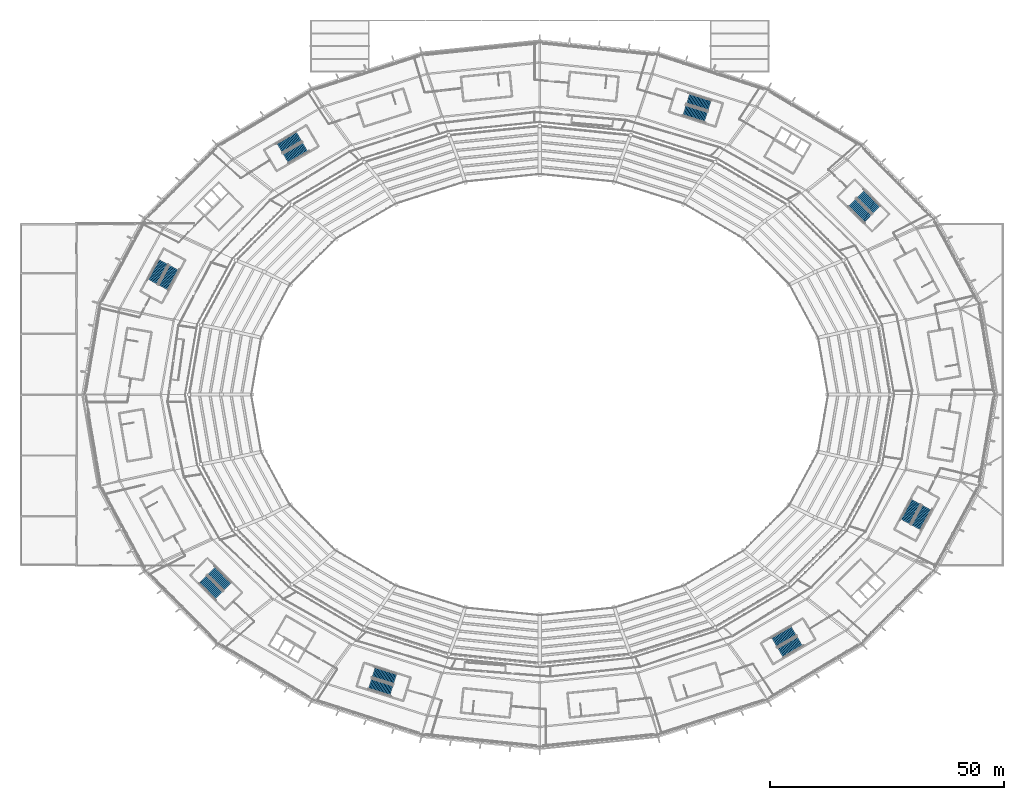
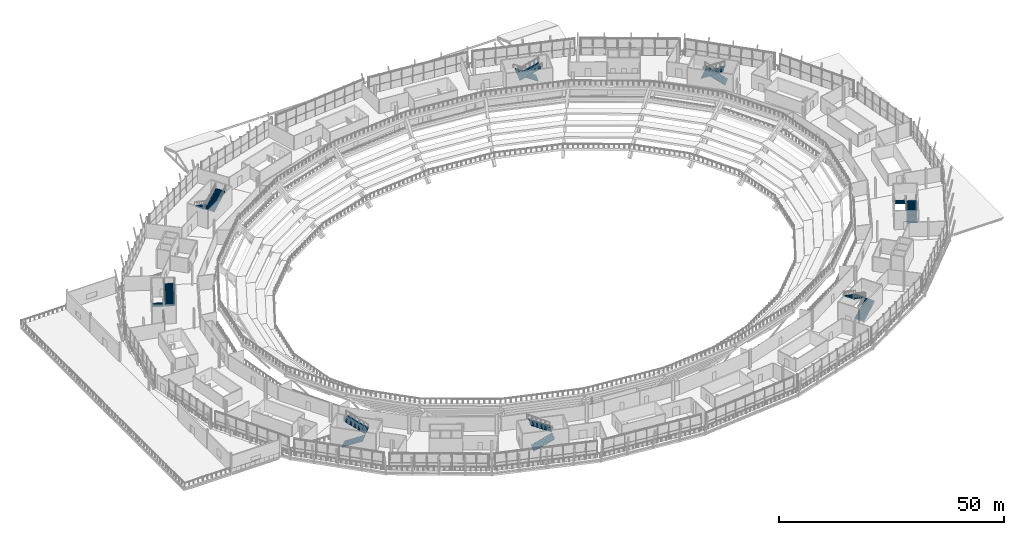
# One storey, part 105 of 126: 16 stair flights, 8 elements without a shape of their own.
"""IFC4 building model written with IfcOpenShell, lengths in metres."""

from ifc_helpers import new_model, si_unit, direction, frame, origin, place, context, subcontext, project, spatial, polyline, outline, extrude, material, type_object, element, aggregate, save


model = new_model("IFC4")

# Units and contexts
model_context = context("Model", 3, precision=1e-05, world=origin(), true_north=direction((0.0, 1.0)))
body_context = subcontext(model_context, "Body", "Model", "MODEL_VIEW")
ifc_project = project(units=[si_unit("LENGTHUNIT", "METRE"), si_unit("AREAUNIT", "SQUARE_METRE"), si_unit("VOLUMEUNIT", "CUBIC_METRE"), si_unit("PLANEANGLEUNIT", "RADIAN"), si_unit("MASSUNIT", "GRAM", prefix="KILO")], contexts=[model_context])

# Site, building, storey
site_placement = place(None, origin())
site = spatial("IfcSite", under=ifc_project, at=site_placement, CompositionType="ELEMENT")
building_placement = place(site_placement, origin())
building = spatial("IfcBuilding", under=site, at=building_placement, Name="Zlatoyarsky Gate Stadium", CompositionType="ELEMENT")
storey_placement = place(building_placement, frame((0.0, 0.0, 20.800048828125)))
storey = spatial("IfcBuildingStorey", under=building, at=storey_placement, Name="L04", CompositionType="ELEMENT", Elevation=20.800048828125)

# Stair, stair flights
ifc_material = material(Name="Concrete C40/50", Category="concrete")
stair_type = type_object("IfcStairType", Name="CONCRETE DOGLEG EXIT STAIR H5400", PredefinedType="TWO_STRAIGHT_RUN_STAIR", material=ifc_material)
stair_1_placement = place(storey_placement, origin())
stair_1 = element("IfcStair", 1, at=stair_1_placement, inside=storey, type_object=stair_type, Name="L04 Exit Stair ST-02", PredefinedType="TWO_STRAIGHT_RUN_STAIR")
stair_flight_type = type_object("IfcStairFlightType", Name="CONCRETE STAIR FLIGHT 2400 H5400", PredefinedType="STRAIGHT", material=ifc_material)
stair_flight_1_placement = place(storey_placement, frame((182.98193359375, 119.49658203125, 0.0), z_axis=(0.0, 0.0, 1.0), x_axis=(-0.708901395436, 0.70530760066, 0.0)))
stair_flight_1 = element("IfcStairFlight", 2, at=stair_flight_1_placement, type_object=stair_flight_type, Name="ST-DG54 flight 1", NumberOfRisers=17, NumberOfTreads=16, PredefinedType="STRAIGHT", RiserHeight=0.158823529, TreadLength=0.3, context=body_context, shape_type="SweptSolid", body=[
    extrude(outline(polyline([(-0.006103515625, -0.180908203125), (-0.006103515625, 0.0), (0.0, 0.0), (0.0, 0.158935546875), (0.300048828125, 0.158935546875), (0.300048828125, 0.317626953125), (0.60009765625, 0.317626953125), (0.60009765625, 0.4765625), (0.89990234375, 0.4765625), (0.89990234375, 0.63525390625), (1.199951171875, 0.63525390625), (1.199951171875, 0.794189453125), (1.5, 0.794189453125), (1.5, 0.952880859375), (1.800048828125, 0.952880859375), (1.800048828125, 1.11181640625), (2.10009765625, 1.11181640625), (2.10009765625, 1.2705078125), (2.39990234375, 1.2705078125), (2.39990234375, 1.429443359375), (2.699951171875, 1.429443359375), (2.699951171875, 1.588134765625), (3.0, 1.588134765625), (3.0, 1.7470703125), (3.300048828125, 1.7470703125), (3.300048828125, 1.90576171875), (3.60009765625, 1.90576171875), (3.60009765625, 2.064697265625), (3.89990234375, 2.064697265625), (3.89990234375, 2.2236328125), (4.199951171875, 2.2236328125), (4.199951171875, 2.38232421875), (4.5, 2.38232421875), (4.5, 2.541259765625), (4.800048828125, 2.541259765625), (4.800048828125, 2.699951171875), (4.805908203125, 2.699951171875), (4.805908203125, 2.3603515625), (4.800048828125, 2.3603515625), (-0.006103515625, -0.180908203125)])), frame((0.0, 1.199951171875, 0.0), z_axis=(0.0, -1.0, 0.0), x_axis=(1.0, 0.0, 0.0)), (0.0, 0.0, 1.0), 2.39990234375),
])
stair_flight_2_placement = place(storey_placement, frame((177.745361328125, 121.0390625, 2.699951171875), z_axis=(0.0, 0.0, 1.0), x_axis=(0.708901395436, -0.70530760066, 0.0)))
stair_flight_2 = element("IfcStairFlight", 3, at=stair_flight_2_placement, type_object=stair_flight_type, Name="ST-DG54 flight 2", NumberOfRisers=17, NumberOfTreads=16, PredefinedType="STRAIGHT", RiserHeight=0.158823529, TreadLength=0.3, context=body_context, shape_type="SweptSolid", body=[
    extrude(outline(polyline([(-0.006103515625, -0.180908203125), (-0.006103515625, 0.0), (0.0, 0.0), (0.0, 0.158935546875), (0.300048828125, 0.158935546875), (0.300048828125, 0.317626953125), (0.60009765625, 0.317626953125), (0.60009765625, 0.4765625), (0.89990234375, 0.4765625), (0.89990234375, 0.63525390625), (1.199951171875, 0.63525390625), (1.199951171875, 0.794189453125), (1.5, 0.794189453125), (1.5, 0.952880859375), (1.800048828125, 0.952880859375), (1.800048828125, 1.11181640625), (2.10009765625, 1.11181640625), (2.10009765625, 1.2705078125), (2.39990234375, 1.2705078125), (2.39990234375, 1.429443359375), (2.699951171875, 1.429443359375), (2.699951171875, 1.588134765625), (3.0, 1.588134765625), (3.0, 1.7470703125), (3.300048828125, 1.7470703125), (3.300048828125, 1.90576171875), (3.60009765625, 1.90576171875), (3.60009765625, 2.064697265625), (3.89990234375, 2.064697265625), (3.89990234375, 2.2236328125), (4.199951171875, 2.2236328125), (4.199951171875, 2.38232421875), (4.5, 2.38232421875), (4.5, 2.541259765625), (4.800048828125, 2.541259765625), (4.800048828125, 2.699951171875), (4.805908203125, 2.699951171875), (4.805908203125, 2.3603515625), (4.800048828125, 2.3603515625), (-0.006103515625, -0.180908203125)])), frame((0.0, 1.199951171875, 0.0), z_axis=(0.0, -1.0, 0.0), x_axis=(1.0, 0.0, 0.0)), (0.0, 0.0, 1.0), 2.39990234375),
])
aggregate(stair_1, [stair_flight_1, stair_flight_2])

stair_2_placement = place(storey_placement, origin())
stair_2 = element("IfcStair", 4, at=stair_2_placement, inside=storey, type_object=stair_type, Name="L04 Exit Stair ST-03", PredefinedType="TWO_STRAIGHT_RUN_STAIR")
stair_flight_3_placement = place(storey_placement, frame((147.29150390625, 141.820068359375, 0.0), z_axis=(0.0, 0.0, 1.0), x_axis=(-0.953463118711, 0.301509670257, 0.0)))
stair_flight_3 = element("IfcStairFlight", 5, at=stair_flight_3_placement, type_object=stair_flight_type, Name="ST-DG54 flight 1", NumberOfRisers=17, NumberOfTreads=16, PredefinedType="STRAIGHT", RiserHeight=0.158823529, TreadLength=0.3, context=body_context, shape_type="SweptSolid", body=[
    extrude(outline(polyline([(-0.006103515625, -0.180908203125), (-0.006103515625, 0.0), (0.0, 0.0), (0.0, 0.158935546875), (0.300048828125, 0.158935546875), (0.300048828125, 0.317626953125), (0.60009765625, 0.317626953125), (0.60009765625, 0.4765625), (0.89990234375, 0.4765625), (0.89990234375, 0.63525390625), (1.199951171875, 0.63525390625), (1.199951171875, 0.794189453125), (1.5, 0.794189453125), (1.5, 0.952880859375), (1.800048828125, 0.952880859375), (1.800048828125, 1.11181640625), (2.10009765625, 1.11181640625), (2.10009765625, 1.2705078125), (2.39990234375, 1.2705078125), (2.39990234375, 1.429443359375), (2.699951171875, 1.429443359375), (2.699951171875, 1.588134765625), (3.0, 1.588134765625), (3.0, 1.7470703125), (3.300048828125, 1.7470703125), (3.300048828125, 1.90576171875), (3.60009765625, 1.90576171875), (3.60009765625, 2.064697265625), (3.89990234375, 2.064697265625), (3.89990234375, 2.2236328125), (4.199951171875, 2.2236328125), (4.199951171875, 2.38232421875), (4.5, 2.38232421875), (4.5, 2.541259765625), (4.800048828125, 2.541259765625), (4.800048828125, 2.699951171875), (4.805908203125, 2.699951171875), (4.805908203125, 2.3603515625), (4.800048828125, 2.3603515625), (-0.006103515625, -0.180908203125)])), frame((0.0, 1.199951171875, 0.0), z_axis=(0.0, -1.0, 0.0), x_axis=(1.0, 0.0, 0.0)), (0.0, 0.0, 1.0), 2.39990234375),
])
stair_flight_4_placement = place(storey_placement, frame((141.930908203125, 140.788330078125, 2.699951171875), z_axis=(0.0, 0.0, 1.0), x_axis=(0.953463118711, -0.301509670257, 0.0)))
stair_flight_4 = element("IfcStairFlight", 6, at=stair_flight_4_placement, type_object=stair_flight_type, Name="ST-DG54 flight 2", NumberOfRisers=17, NumberOfTreads=16, PredefinedType="STRAIGHT", RiserHeight=0.158823529, TreadLength=0.3, context=body_context, shape_type="SweptSolid", body=[
    extrude(outline(polyline([(-0.006103515625, -0.180908203125), (-0.006103515625, 0.0), (0.0, 0.0), (0.0, 0.158935546875), (0.300048828125, 0.158935546875), (0.300048828125, 0.317626953125), (0.60009765625, 0.317626953125), (0.60009765625, 0.4765625), (0.89990234375, 0.4765625), (0.89990234375, 0.63525390625), (1.199951171875, 0.63525390625), (1.199951171875, 0.794189453125), (1.5, 0.794189453125), (1.5, 0.952880859375), (1.800048828125, 0.952880859375), (1.800048828125, 1.11181640625), (2.10009765625, 1.11181640625), (2.10009765625, 1.2705078125), (2.39990234375, 1.2705078125), (2.39990234375, 1.429443359375), (2.699951171875, 1.429443359375), (2.699951171875, 1.588134765625), (3.0, 1.588134765625), (3.0, 1.7470703125), (3.300048828125, 1.7470703125), (3.300048828125, 1.90576171875), (3.60009765625, 1.90576171875), (3.60009765625, 2.064697265625), (3.89990234375, 2.064697265625), (3.89990234375, 2.2236328125), (4.199951171875, 2.2236328125), (4.199951171875, 2.38232421875), (4.5, 2.38232421875), (4.5, 2.541259765625), (4.800048828125, 2.541259765625), (4.800048828125, 2.699951171875), (4.805908203125, 2.699951171875), (4.805908203125, 2.3603515625), (4.800048828125, 2.3603515625), (-0.006103515625, -0.180908203125)])), frame((0.0, 1.199951171875, 0.0), z_axis=(0.0, -1.0, 0.0), x_axis=(1.0, 0.0, 0.0)), (0.0, 0.0, 1.0), 2.39990234375),
])
aggregate(stair_2, [stair_flight_3, stair_flight_4])

stair_3_placement = place(storey_placement, origin())
stair_3 = element("IfcStair", 7, at=stair_3_placement, inside=storey, type_object=stair_type, Name="L04 Exit Stair ST-05", PredefinedType="TWO_STRAIGHT_RUN_STAIR")
stair_flight_5_placement = place(storey_placement, frame((59.540771484375, 135.1689453125, 0.0), z_axis=(0.0, 0.0, 1.0), x_axis=(-0.86284821159, -0.505463118096, 0.0)))
stair_flight_5 = element("IfcStairFlight", 8, at=stair_flight_5_placement, type_object=stair_flight_type, Name="ST-DG54 flight 1", NumberOfRisers=17, NumberOfTreads=16, PredefinedType="STRAIGHT", RiserHeight=0.158823529, TreadLength=0.3, context=body_context, shape_type="SweptSolid", body=[
    extrude(outline(polyline([(-0.006103515625, -0.180908203125), (-0.006103515625, 0.0), (0.0, 0.0), (0.0, 0.158935546875), (0.300048828125, 0.158935546875), (0.300048828125, 0.317626953125), (0.60009765625, 0.317626953125), (0.60009765625, 0.4765625), (0.89990234375, 0.4765625), (0.89990234375, 0.63525390625), (1.199951171875, 0.63525390625), (1.199951171875, 0.794189453125), (1.5, 0.794189453125), (1.5, 0.952880859375), (1.800048828125, 0.952880859375), (1.800048828125, 1.11181640625), (2.10009765625, 1.11181640625), (2.10009765625, 1.2705078125), (2.39990234375, 1.2705078125), (2.39990234375, 1.429443359375), (2.699951171875, 1.429443359375), (2.699951171875, 1.588134765625), (3.0, 1.588134765625), (3.0, 1.7470703125), (3.300048828125, 1.7470703125), (3.300048828125, 1.90576171875), (3.60009765625, 1.90576171875), (3.60009765625, 2.064697265625), (3.89990234375, 2.064697265625), (3.89990234375, 2.2236328125), (4.199951171875, 2.2236328125), (4.199951171875, 2.38232421875), (4.5, 2.38232421875), (4.5, 2.541259765625), (4.800048828125, 2.541259765625), (4.800048828125, 2.699951171875), (4.805908203125, 2.699951171875), (4.805908203125, 2.3603515625), (4.800048828125, 2.3603515625), (-0.006103515625, -0.180908203125)])), frame((0.0, 1.199951171875, 0.0), z_axis=(0.0, -1.0, 0.0), x_axis=(1.0, 0.0, 0.0)), (0.0, 0.0, 1.0), 2.39990234375),
])
stair_flight_6_placement = place(storey_placement, frame((56.71337890625, 130.499267578125, 2.699951171875), z_axis=(0.0, 0.0, 1.0), x_axis=(0.86284821159, 0.505463118096, 0.0)))
stair_flight_6 = element("IfcStairFlight", 9, at=stair_flight_6_placement, type_object=stair_flight_type, Name="ST-DG54 flight 2", NumberOfRisers=17, NumberOfTreads=16, PredefinedType="STRAIGHT", RiserHeight=0.158823529, TreadLength=0.3, context=body_context, shape_type="SweptSolid", body=[
    extrude(outline(polyline([(-0.006103515625, -0.180908203125), (-0.006103515625, 0.0), (0.0, 0.0), (0.0, 0.158935546875), (0.300048828125, 0.158935546875), (0.300048828125, 0.317626953125), (0.60009765625, 0.317626953125), (0.60009765625, 0.4765625), (0.89990234375, 0.4765625), (0.89990234375, 0.63525390625), (1.199951171875, 0.63525390625), (1.199951171875, 0.794189453125), (1.5, 0.794189453125), (1.5, 0.952880859375), (1.800048828125, 0.952880859375), (1.800048828125, 1.11181640625), (2.10009765625, 1.11181640625), (2.10009765625, 1.2705078125), (2.39990234375, 1.2705078125), (2.39990234375, 1.429443359375), (2.699951171875, 1.429443359375), (2.699951171875, 1.588134765625), (3.0, 1.588134765625), (3.0, 1.7470703125), (3.300048828125, 1.7470703125), (3.300048828125, 1.90576171875), (3.60009765625, 1.90576171875), (3.60009765625, 2.064697265625), (3.89990234375, 2.064697265625), (3.89990234375, 2.2236328125), (4.199951171875, 2.2236328125), (4.199951171875, 2.38232421875), (4.5, 2.38232421875), (4.5, 2.541259765625), (4.800048828125, 2.541259765625), (4.800048828125, 2.699951171875), (4.805908203125, 2.699951171875), (4.805908203125, 2.3603515625), (4.800048828125, 2.3603515625), (-0.006103515625, -0.180908203125)])), frame((0.0, 1.199951171875, 0.0), z_axis=(0.0, -1.0, 0.0), x_axis=(1.0, 0.0, 0.0)), (0.0, 0.0, 1.0), 2.39990234375),
])
aggregate(stair_3, [stair_flight_5, stair_flight_6])

stair_4_placement = place(storey_placement, origin())
stair_4 = element("IfcStair", 10, at=stair_4_placement, inside=storey, type_object=stair_type, Name="L04 Exit Stair ST-06", PredefinedType="TWO_STRAIGHT_RUN_STAIR")
stair_flight_7_placement = place(storey_placement, frame((30.5517578125, 108.37353515625, 0.0), z_axis=(0.0, 0.0, 1.0), x_axis=(-0.476890318595, -0.878962811518, 0.0)))
stair_flight_7 = element("IfcStairFlight", 11, at=stair_flight_7_placement, type_object=stair_flight_type, Name="ST-DG54 flight 1", NumberOfRisers=17, NumberOfTreads=16, PredefinedType="STRAIGHT", RiserHeight=0.158823529, TreadLength=0.3, context=body_context, shape_type="SweptSolid", body=[
    extrude(outline(polyline([(-0.006103515625, -0.180908203125), (-0.006103515625, 0.0), (0.0, 0.0), (0.0, 0.158935546875), (0.300048828125, 0.158935546875), (0.300048828125, 0.317626953125), (0.60009765625, 0.317626953125), (0.60009765625, 0.4765625), (0.89990234375, 0.4765625), (0.89990234375, 0.63525390625), (1.199951171875, 0.63525390625), (1.199951171875, 0.794189453125), (1.5, 0.794189453125), (1.5, 0.952880859375), (1.800048828125, 0.952880859375), (1.800048828125, 1.11181640625), (2.10009765625, 1.11181640625), (2.10009765625, 1.2705078125), (2.39990234375, 1.2705078125), (2.39990234375, 1.429443359375), (2.699951171875, 1.429443359375), (2.699951171875, 1.588134765625), (3.0, 1.588134765625), (3.0, 1.7470703125), (3.300048828125, 1.7470703125), (3.300048828125, 1.90576171875), (3.60009765625, 1.90576171875), (3.60009765625, 2.064697265625), (3.89990234375, 2.064697265625), (3.89990234375, 2.2236328125), (4.199951171875, 2.2236328125), (4.199951171875, 2.38232421875), (4.5, 2.38232421875), (4.5, 2.541259765625), (4.800048828125, 2.541259765625), (4.800048828125, 2.699951171875), (4.805908203125, 2.699951171875), (4.805908203125, 2.3603515625), (4.800048828125, 2.3603515625), (-0.006103515625, -0.180908203125)])), frame((0.0, 1.199951171875, 0.0), z_axis=(0.0, -1.0, 0.0), x_axis=(1.0, 0.0, 0.0)), (0.0, 0.0, 1.0), 2.39990234375),
])
stair_flight_8_placement = place(storey_placement, frame((30.548095703125, 102.91455078125, 2.699951171875), z_axis=(0.0, 0.0, 1.0), x_axis=(0.476890318595, 0.878962811518, 0.0)))
stair_flight_8 = element("IfcStairFlight", 12, at=stair_flight_8_placement, type_object=stair_flight_type, Name="ST-DG54 flight 2", NumberOfRisers=17, NumberOfTreads=16, PredefinedType="STRAIGHT", RiserHeight=0.158823529, TreadLength=0.3, context=body_context, shape_type="SweptSolid", body=[
    extrude(outline(polyline([(-0.006103515625, -0.180908203125), (-0.006103515625, 0.0), (0.0, 0.0), (0.0, 0.158935546875), (0.300048828125, 0.158935546875), (0.300048828125, 0.317626953125), (0.60009765625, 0.317626953125), (0.60009765625, 0.4765625), (0.89990234375, 0.4765625), (0.89990234375, 0.63525390625), (1.199951171875, 0.63525390625), (1.199951171875, 0.794189453125), (1.5, 0.794189453125), (1.5, 0.952880859375), (1.800048828125, 0.952880859375), (1.800048828125, 1.11181640625), (2.10009765625, 1.11181640625), (2.10009765625, 1.2705078125), (2.39990234375, 1.2705078125), (2.39990234375, 1.429443359375), (2.699951171875, 1.429443359375), (2.699951171875, 1.588134765625), (3.0, 1.588134765625), (3.0, 1.7470703125), (3.300048828125, 1.7470703125), (3.300048828125, 1.90576171875), (3.60009765625, 1.90576171875), (3.60009765625, 2.064697265625), (3.89990234375, 2.064697265625), (3.89990234375, 2.2236328125), (4.199951171875, 2.2236328125), (4.199951171875, 2.38232421875), (4.5, 2.38232421875), (4.5, 2.541259765625), (4.800048828125, 2.541259765625), (4.800048828125, 2.699951171875), (4.805908203125, 2.699951171875), (4.805908203125, 2.3603515625), (4.800048828125, 2.3603515625), (-0.006103515625, -0.180908203125)])), frame((0.0, 1.199951171875, 0.0), z_axis=(0.0, -1.0, 0.0), x_axis=(1.0, 0.0, 0.0)), (0.0, 0.0, 1.0), 2.39990234375),
])
aggregate(stair_4, [stair_flight_7, stair_flight_8])

stair_5_placement = place(storey_placement, origin())
stair_5 = element("IfcStair", 13, at=stair_5_placement, inside=storey, type_object=stair_type, Name="L04 Exit Stair ST-08", PredefinedType="TWO_STRAIGHT_RUN_STAIR")
stair_flight_9_placement = place(storey_placement, frame((39.01806640625, 40.50341796875, 0.0), z_axis=(0.0, 0.0, 1.0), x_axis=(0.708901395436, -0.70530760066, 0.0)))
stair_flight_9 = element("IfcStairFlight", 14, at=stair_flight_9_placement, type_object=stair_flight_type, Name="ST-DG54 flight 1", NumberOfRisers=17, NumberOfTreads=16, PredefinedType="STRAIGHT", RiserHeight=0.158823529, TreadLength=0.3, context=body_context, shape_type="SweptSolid", body=[
    extrude(outline(polyline([(-0.006103515625, -0.180908203125), (-0.006103515625, 0.0), (0.0, 0.0), (0.0, 0.158935546875), (0.300048828125, 0.158935546875), (0.300048828125, 0.317626953125), (0.60009765625, 0.317626953125), (0.60009765625, 0.4765625), (0.89990234375, 0.4765625), (0.89990234375, 0.63525390625), (1.199951171875, 0.63525390625), (1.199951171875, 0.794189453125), (1.5, 0.794189453125), (1.5, 0.952880859375), (1.800048828125, 0.952880859375), (1.800048828125, 1.11181640625), (2.10009765625, 1.11181640625), (2.10009765625, 1.2705078125), (2.39990234375, 1.2705078125), (2.39990234375, 1.429443359375), (2.699951171875, 1.429443359375), (2.699951171875, 1.588134765625), (3.0, 1.588134765625), (3.0, 1.7470703125), (3.300048828125, 1.7470703125), (3.300048828125, 1.90576171875), (3.60009765625, 1.90576171875), (3.60009765625, 2.064697265625), (3.89990234375, 2.064697265625), (3.89990234375, 2.2236328125), (4.199951171875, 2.2236328125), (4.199951171875, 2.38232421875), (4.5, 2.38232421875), (4.5, 2.541259765625), (4.800048828125, 2.541259765625), (4.800048828125, 2.699951171875), (4.805908203125, 2.699951171875), (4.805908203125, 2.3603515625), (4.800048828125, 2.3603515625), (-0.006103515625, -0.180908203125)])), frame((0.0, 1.199951171875, 0.0), z_axis=(0.0, -1.0, 0.0), x_axis=(1.0, 0.0, 0.0)), (0.0, 0.0, 1.0), 2.39990234375),
])
stair_flight_10_placement = place(storey_placement, frame((44.254638671875, 38.9609375, 2.699951171875), z_axis=(0.0, 0.0, 1.0), x_axis=(-0.708901395436, 0.70530760066, 0.0)))
stair_flight_10 = element("IfcStairFlight", 15, at=stair_flight_10_placement, type_object=stair_flight_type, Name="ST-DG54 flight 2", NumberOfRisers=17, NumberOfTreads=16, PredefinedType="STRAIGHT", RiserHeight=0.158823529, TreadLength=0.3, context=body_context, shape_type="SweptSolid", body=[
    extrude(outline(polyline([(-0.006103515625, -0.180908203125), (-0.006103515625, 0.0), (0.0, 0.0), (0.0, 0.158935546875), (0.300048828125, 0.158935546875), (0.300048828125, 0.317626953125), (0.60009765625, 0.317626953125), (0.60009765625, 0.4765625), (0.89990234375, 0.4765625), (0.89990234375, 0.63525390625), (1.199951171875, 0.63525390625), (1.199951171875, 0.794189453125), (1.5, 0.794189453125), (1.5, 0.952880859375), (1.800048828125, 0.952880859375), (1.800048828125, 1.11181640625), (2.10009765625, 1.11181640625), (2.10009765625, 1.2705078125), (2.39990234375, 1.2705078125), (2.39990234375, 1.429443359375), (2.699951171875, 1.429443359375), (2.699951171875, 1.588134765625), (3.0, 1.588134765625), (3.0, 1.7470703125), (3.300048828125, 1.7470703125), (3.300048828125, 1.90576171875), (3.60009765625, 1.90576171875), (3.60009765625, 2.064697265625), (3.89990234375, 2.064697265625), (3.89990234375, 2.2236328125), (4.199951171875, 2.2236328125), (4.199951171875, 2.38232421875), (4.5, 2.38232421875), (4.5, 2.541259765625), (4.800048828125, 2.541259765625), (4.800048828125, 2.699951171875), (4.805908203125, 2.699951171875), (4.805908203125, 2.3603515625), (4.800048828125, 2.3603515625), (-0.006103515625, -0.180908203125)])), frame((0.0, 1.199951171875, 0.0), z_axis=(0.0, -1.0, 0.0), x_axis=(1.0, 0.0, 0.0)), (0.0, 0.0, 1.0), 2.39990234375),
])
aggregate(stair_5, [stair_flight_9, stair_flight_10])

stair_6_placement = place(storey_placement, origin())
stair_6 = element("IfcStair", 16, at=stair_6_placement, inside=storey, type_object=stair_type, Name="L04 Exit Stair ST-09", PredefinedType="TWO_STRAIGHT_RUN_STAIR")
stair_flight_11_placement = place(storey_placement, frame((74.70849609375, 18.179931640625, 0.0), z_axis=(0.0, 0.0, 1.0), x_axis=(0.953463118711, -0.301509670257, 0.0)))
stair_flight_11 = element("IfcStairFlight", 17, at=stair_flight_11_placement, type_object=stair_flight_type, Name="ST-DG54 flight 1", NumberOfRisers=17, NumberOfTreads=16, PredefinedType="STRAIGHT", RiserHeight=0.158823529, TreadLength=0.3, context=body_context, shape_type="SweptSolid", body=[
    extrude(outline(polyline([(-0.006103515625, -0.180908203125), (-0.006103515625, 0.0), (0.0, 0.0), (0.0, 0.158935546875), (0.300048828125, 0.158935546875), (0.300048828125, 0.317626953125), (0.60009765625, 0.317626953125), (0.60009765625, 0.4765625), (0.89990234375, 0.4765625), (0.89990234375, 0.63525390625), (1.199951171875, 0.63525390625), (1.199951171875, 0.794189453125), (1.5, 0.794189453125), (1.5, 0.952880859375), (1.800048828125, 0.952880859375), (1.800048828125, 1.11181640625), (2.10009765625, 1.11181640625), (2.10009765625, 1.2705078125), (2.39990234375, 1.2705078125), (2.39990234375, 1.429443359375), (2.699951171875, 1.429443359375), (2.699951171875, 1.588134765625), (3.0, 1.588134765625), (3.0, 1.7470703125), (3.300048828125, 1.7470703125), (3.300048828125, 1.90576171875), (3.60009765625, 1.90576171875), (3.60009765625, 2.064697265625), (3.89990234375, 2.064697265625), (3.89990234375, 2.2236328125), (4.199951171875, 2.2236328125), (4.199951171875, 2.38232421875), (4.5, 2.38232421875), (4.5, 2.541259765625), (4.800048828125, 2.541259765625), (4.800048828125, 2.699951171875), (4.805908203125, 2.699951171875), (4.805908203125, 2.3603515625), (4.800048828125, 2.3603515625), (-0.006103515625, -0.180908203125)])), frame((0.0, 1.199951171875, 0.0), z_axis=(0.0, -1.0, 0.0), x_axis=(1.0, 0.0, 0.0)), (0.0, 0.0, 1.0), 2.39990234375),
])
stair_flight_12_placement = place(storey_placement, frame((80.069091796875, 19.211669921875, 2.699951171875), z_axis=(0.0, 0.0, 1.0), x_axis=(-0.953463118711, 0.301509670257, 0.0)))
stair_flight_12 = element("IfcStairFlight", 18, at=stair_flight_12_placement, type_object=stair_flight_type, Name="ST-DG54 flight 2", NumberOfRisers=17, NumberOfTreads=16, PredefinedType="STRAIGHT", RiserHeight=0.158823529, TreadLength=0.3, context=body_context, shape_type="SweptSolid", body=[
    extrude(outline(polyline([(-0.006103515625, -0.180908203125), (-0.006103515625, 0.0), (0.0, 0.0), (0.0, 0.158935546875), (0.300048828125, 0.158935546875), (0.300048828125, 0.317626953125), (0.60009765625, 0.317626953125), (0.60009765625, 0.4765625), (0.89990234375, 0.4765625), (0.89990234375, 0.63525390625), (1.199951171875, 0.63525390625), (1.199951171875, 0.794189453125), (1.5, 0.794189453125), (1.5, 0.952880859375), (1.800048828125, 0.952880859375), (1.800048828125, 1.11181640625), (2.10009765625, 1.11181640625), (2.10009765625, 1.2705078125), (2.39990234375, 1.2705078125), (2.39990234375, 1.429443359375), (2.699951171875, 1.429443359375), (2.699951171875, 1.588134765625), (3.0, 1.588134765625), (3.0, 1.7470703125), (3.300048828125, 1.7470703125), (3.300048828125, 1.90576171875), (3.60009765625, 1.90576171875), (3.60009765625, 2.064697265625), (3.89990234375, 2.064697265625), (3.89990234375, 2.2236328125), (4.199951171875, 2.2236328125), (4.199951171875, 2.38232421875), (4.5, 2.38232421875), (4.5, 2.541259765625), (4.800048828125, 2.541259765625), (4.800048828125, 2.699951171875), (4.805908203125, 2.699951171875), (4.805908203125, 2.3603515625), (4.800048828125, 2.3603515625), (-0.006103515625, -0.180908203125)])), frame((0.0, 1.199951171875, 0.0), z_axis=(0.0, -1.0, 0.0), x_axis=(1.0, 0.0, 0.0)), (0.0, 0.0, 1.0), 2.39990234375),
])
aggregate(stair_6, [stair_flight_11, stair_flight_12])

stair_7_placement = place(storey_placement, origin())
stair_7 = element("IfcStair", 19, at=stair_7_placement, inside=storey, type_object=stair_type, Name="L04 Exit Stair ST-11", PredefinedType="TWO_STRAIGHT_RUN_STAIR")
stair_flight_13_placement = place(storey_placement, frame((162.459228515625, 24.8310546875, 0.0), z_axis=(0.0, 0.0, 1.0), x_axis=(0.86284821159, 0.505463118096, 0.0)))
stair_flight_13 = element("IfcStairFlight", 20, at=stair_flight_13_placement, type_object=stair_flight_type, Name="ST-DG54 flight 1", NumberOfRisers=17, NumberOfTreads=16, PredefinedType="STRAIGHT", RiserHeight=0.158823529, TreadLength=0.3, context=body_context, shape_type="SweptSolid", body=[
    extrude(outline(polyline([(-0.006103515625, -0.180908203125), (-0.006103515625, 0.0), (0.0, 0.0), (0.0, 0.158935546875), (0.300048828125, 0.158935546875), (0.300048828125, 0.317626953125), (0.60009765625, 0.317626953125), (0.60009765625, 0.4765625), (0.89990234375, 0.4765625), (0.89990234375, 0.63525390625), (1.199951171875, 0.63525390625), (1.199951171875, 0.794189453125), (1.5, 0.794189453125), (1.5, 0.952880859375), (1.800048828125, 0.952880859375), (1.800048828125, 1.11181640625), (2.10009765625, 1.11181640625), (2.10009765625, 1.2705078125), (2.39990234375, 1.2705078125), (2.39990234375, 1.429443359375), (2.699951171875, 1.429443359375), (2.699951171875, 1.588134765625), (3.0, 1.588134765625), (3.0, 1.7470703125), (3.300048828125, 1.7470703125), (3.300048828125, 1.90576171875), (3.60009765625, 1.90576171875), (3.60009765625, 2.064697265625), (3.89990234375, 2.064697265625), (3.89990234375, 2.2236328125), (4.199951171875, 2.2236328125), (4.199951171875, 2.38232421875), (4.5, 2.38232421875), (4.5, 2.541259765625), (4.800048828125, 2.541259765625), (4.800048828125, 2.699951171875), (4.805908203125, 2.699951171875), (4.805908203125, 2.3603515625), (4.800048828125, 2.3603515625), (-0.006103515625, -0.180908203125)])), frame((0.0, 1.199951171875, 0.0), z_axis=(0.0, -1.0, 0.0), x_axis=(1.0, 0.0, 0.0)), (0.0, 0.0, 1.0), 2.39990234375),
])
stair_flight_14_placement = place(storey_placement, frame((165.28662109375, 29.500732421875, 2.699951171875), z_axis=(0.0, 0.0, 1.0), x_axis=(-0.86284821159, -0.505463118096, 0.0)))
stair_flight_14 = element("IfcStairFlight", 21, at=stair_flight_14_placement, type_object=stair_flight_type, Name="ST-DG54 flight 2", NumberOfRisers=17, NumberOfTreads=16, PredefinedType="STRAIGHT", RiserHeight=0.158823529, TreadLength=0.3, context=body_context, shape_type="SweptSolid", body=[
    extrude(outline(polyline([(-0.006103515625, -0.180908203125), (-0.006103515625, 0.0), (0.0, 0.0), (0.0, 0.158935546875), (0.300048828125, 0.158935546875), (0.300048828125, 0.317626953125), (0.60009765625, 0.317626953125), (0.60009765625, 0.4765625), (0.89990234375, 0.4765625), (0.89990234375, 0.63525390625), (1.199951171875, 0.63525390625), (1.199951171875, 0.794189453125), (1.5, 0.794189453125), (1.5, 0.952880859375), (1.800048828125, 0.952880859375), (1.800048828125, 1.11181640625), (2.10009765625, 1.11181640625), (2.10009765625, 1.2705078125), (2.39990234375, 1.2705078125), (2.39990234375, 1.429443359375), (2.699951171875, 1.429443359375), (2.699951171875, 1.588134765625), (3.0, 1.588134765625), (3.0, 1.7470703125), (3.300048828125, 1.7470703125), (3.300048828125, 1.90576171875), (3.60009765625, 1.90576171875), (3.60009765625, 2.064697265625), (3.89990234375, 2.064697265625), (3.89990234375, 2.2236328125), (4.199951171875, 2.2236328125), (4.199951171875, 2.38232421875), (4.5, 2.38232421875), (4.5, 2.541259765625), (4.800048828125, 2.541259765625), (4.800048828125, 2.699951171875), (4.805908203125, 2.699951171875), (4.805908203125, 2.3603515625), (4.800048828125, 2.3603515625), (-0.006103515625, -0.180908203125)])), frame((0.0, 1.199951171875, 0.0), z_axis=(0.0, -1.0, 0.0), x_axis=(1.0, 0.0, 0.0)), (0.0, 0.0, 1.0), 2.39990234375),
])
aggregate(stair_7, [stair_flight_13, stair_flight_14])

stair_8_placement = place(storey_placement, origin())
stair_8 = element("IfcStair", 22, at=stair_8_placement, inside=storey, type_object=stair_type, Name="L04 Exit Stair ST-12", PredefinedType="TWO_STRAIGHT_RUN_STAIR")
stair_flight_15_placement = place(storey_placement, frame((191.4482421875, 51.62646484375, 0.0), z_axis=(0.0, 0.0, 1.0), x_axis=(0.476890318595, 0.878962811518, 0.0)))
stair_flight_15 = element("IfcStairFlight", 23, at=stair_flight_15_placement, type_object=stair_flight_type, Name="ST-DG54 flight 1", NumberOfRisers=17, NumberOfTreads=16, PredefinedType="STRAIGHT", RiserHeight=0.158823529, TreadLength=0.3, context=body_context, shape_type="SweptSolid", body=[
    extrude(outline(polyline([(-0.006103515625, -0.180908203125), (-0.006103515625, 0.0), (0.0, 0.0), (0.0, 0.158935546875), (0.300048828125, 0.158935546875), (0.300048828125, 0.317626953125), (0.60009765625, 0.317626953125), (0.60009765625, 0.4765625), (0.89990234375, 0.4765625), (0.89990234375, 0.63525390625), (1.199951171875, 0.63525390625), (1.199951171875, 0.794189453125), (1.5, 0.794189453125), (1.5, 0.952880859375), (1.800048828125, 0.952880859375), (1.800048828125, 1.11181640625), (2.10009765625, 1.11181640625), (2.10009765625, 1.2705078125), (2.39990234375, 1.2705078125), (2.39990234375, 1.429443359375), (2.699951171875, 1.429443359375), (2.699951171875, 1.588134765625), (3.0, 1.588134765625), (3.0, 1.7470703125), (3.300048828125, 1.7470703125), (3.300048828125, 1.90576171875), (3.60009765625, 1.90576171875), (3.60009765625, 2.064697265625), (3.89990234375, 2.064697265625), (3.89990234375, 2.2236328125), (4.199951171875, 2.2236328125), (4.199951171875, 2.38232421875), (4.5, 2.38232421875), (4.5, 2.541259765625), (4.800048828125, 2.541259765625), (4.800048828125, 2.699951171875), (4.805908203125, 2.699951171875), (4.805908203125, 2.3603515625), (4.800048828125, 2.3603515625), (-0.006103515625, -0.180908203125)])), frame((0.0, 1.199951171875, 0.0), z_axis=(0.0, -1.0, 0.0), x_axis=(1.0, 0.0, 0.0)), (0.0, 0.0, 1.0), 2.39990234375),
])
stair_flight_16_placement = place(storey_placement, frame((191.451904296875, 57.08544921875, 2.699951171875), z_axis=(0.0, 0.0, 1.0), x_axis=(-0.476890318595, -0.878962811518, 0.0)))
stair_flight_16 = element("IfcStairFlight", 24, at=stair_flight_16_placement, type_object=stair_flight_type, Name="ST-DG54 flight 2", NumberOfRisers=17, NumberOfTreads=16, PredefinedType="STRAIGHT", RiserHeight=0.158823529, TreadLength=0.3, context=body_context, shape_type="SweptSolid", body=[
    extrude(outline(polyline([(-0.006103515625, -0.180908203125), (-0.006103515625, 0.0), (0.0, 0.0), (0.0, 0.158935546875), (0.300048828125, 0.158935546875), (0.300048828125, 0.317626953125), (0.60009765625, 0.317626953125), (0.60009765625, 0.4765625), (0.89990234375, 0.4765625), (0.89990234375, 0.63525390625), (1.199951171875, 0.63525390625), (1.199951171875, 0.794189453125), (1.5, 0.794189453125), (1.5, 0.952880859375), (1.800048828125, 0.952880859375), (1.800048828125, 1.11181640625), (2.10009765625, 1.11181640625), (2.10009765625, 1.2705078125), (2.39990234375, 1.2705078125), (2.39990234375, 1.429443359375), (2.699951171875, 1.429443359375), (2.699951171875, 1.588134765625), (3.0, 1.588134765625), (3.0, 1.7470703125), (3.300048828125, 1.7470703125), (3.300048828125, 1.90576171875), (3.60009765625, 1.90576171875), (3.60009765625, 2.064697265625), (3.89990234375, 2.064697265625), (3.89990234375, 2.2236328125), (4.199951171875, 2.2236328125), (4.199951171875, 2.38232421875), (4.5, 2.38232421875), (4.5, 2.541259765625), (4.800048828125, 2.541259765625), (4.800048828125, 2.699951171875), (4.805908203125, 2.699951171875), (4.805908203125, 2.3603515625), (4.800048828125, 2.3603515625), (-0.006103515625, -0.180908203125)])), frame((0.0, 1.199951171875, 0.0), z_axis=(0.0, -1.0, 0.0), x_axis=(1.0, 0.0, 0.0)), (0.0, 0.0, 1.0), 2.39990234375),
])
aggregate(stair_8, [stair_flight_15, stair_flight_16])

save(model, "model.ifc")
